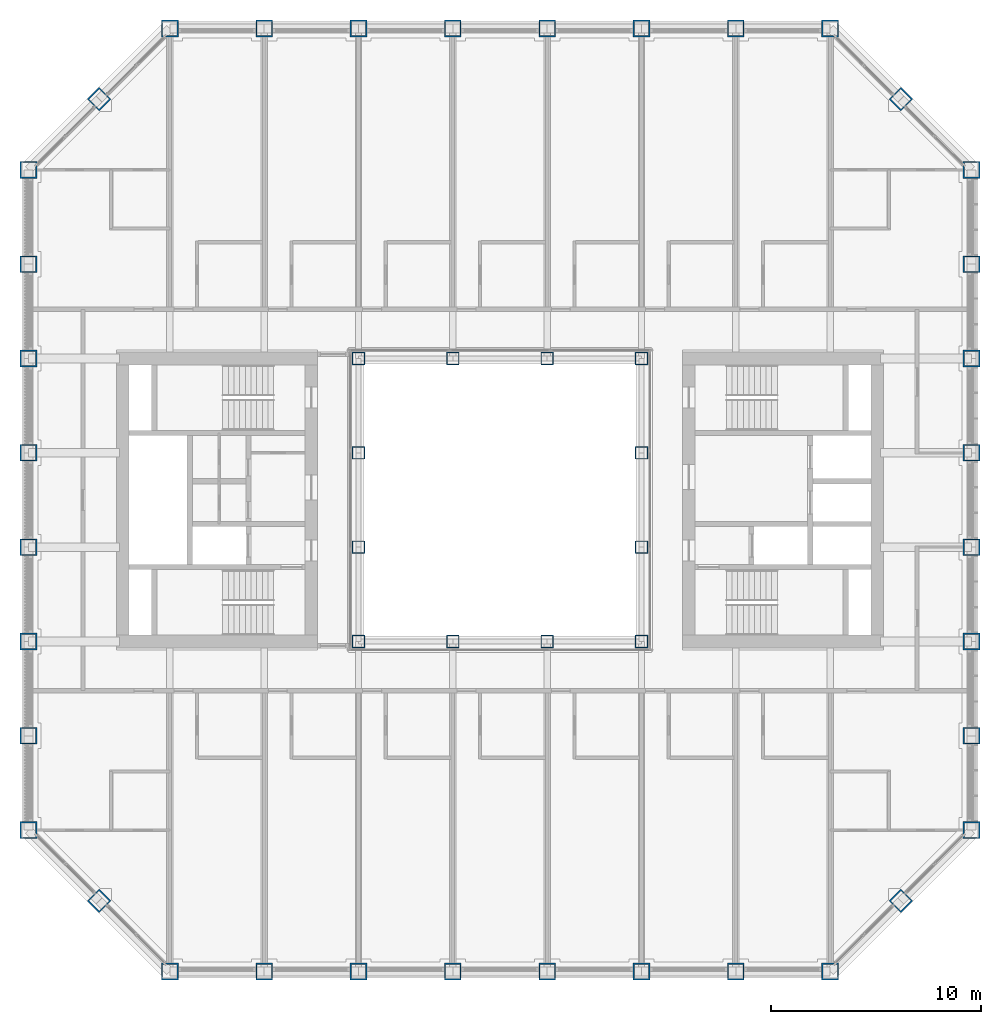
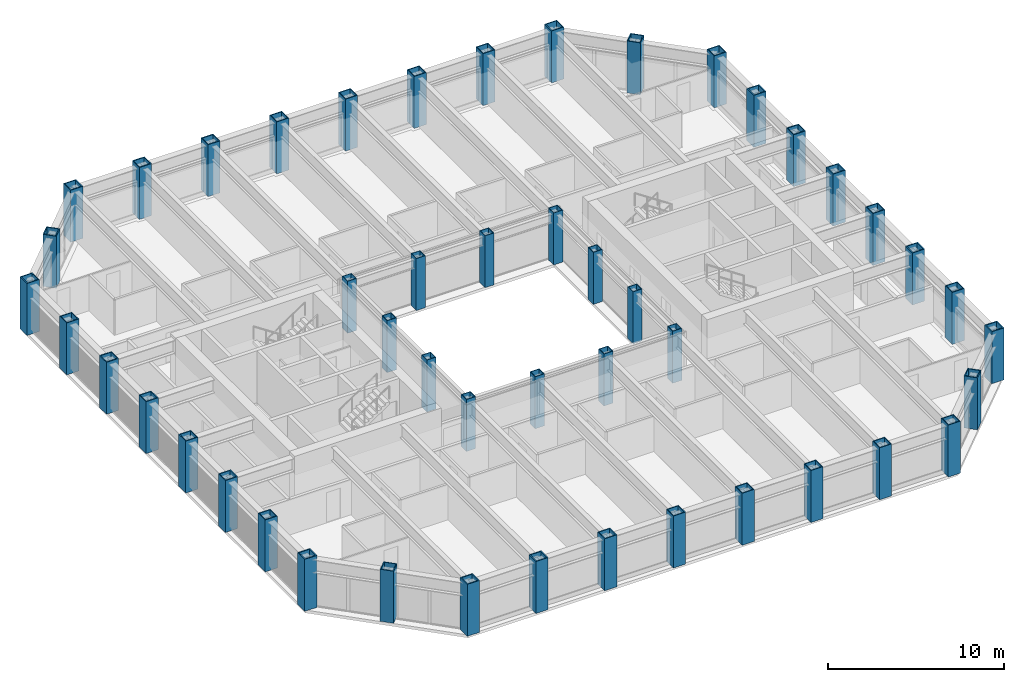
# One storey, part 1 of 18: 48 columns.
"""IFC4 building model written with IfcOpenShell, lengths in metres."""

from ifc_helpers import new_model, si_unit, direction, frame, origin, origin_2d, place, context, subcontext, project, spatial, hollow_rectangle, extrude, material, material_profile, profile_set, type_object, element, save


model = new_model("IFC4")

# Units and contexts
model_context = context("Model", 3, precision=1e-05, world=origin(), true_north=direction((0.0, 1.0)))
body_context = subcontext(model_context, "Body", "Model", "MODEL_VIEW")
ifc_project = project(units=[si_unit("LENGTHUNIT", "METRE"), si_unit("AREAUNIT", "SQUARE_METRE"), si_unit("VOLUMEUNIT", "CUBIC_METRE"), si_unit("PLANEANGLEUNIT", "RADIAN"), si_unit("MASSUNIT", "GRAM", prefix="KILO")], contexts=[model_context])

# Site, building, storey
site_placement = place(None, origin())
site = spatial("IfcSite", under=ifc_project, at=site_placement, CompositionType="ELEMENT")
building_placement = place(site_placement, origin())
building = spatial("IfcBuilding", under=site, at=building_placement, Name="Msasa Ring Tower", CompositionType="ELEMENT")
storey_placement = place(building_placement, frame((0.0, 0.0, 118.39990234375)))
storey = spatial("IfcBuildingStorey", under=building, at=storey_placement, Name="L30", CompositionType="ELEMENT", Elevation=118.39990234375)

# Columns
ifc_material_1 = material(Name="Steel S355", Category="steel")
ifc_material_profile_1 = material_profile(ifc_material_1, hollow_rectangle(XDim=0.60009765625, YDim=0.60009765625, WallThickness=0.0400390625, at=origin_2d()), Name="BOX 600x600x40")
ifc_profile_set_1 = profile_set([ifc_material_profile_1], Name="Steel S355")
column_type_1 = type_object("IfcColumnType", Name="IC4 BOX 600x600x40", PredefinedType="COLUMN", material=ifc_profile_set_1)
for number, where, z_axis, x_axis, name in (
    (1, (-6.75, -6.75, 0.0), (0.0, 0.0, 1.0), (1.0, 0.0, 0.0), "Inner ring column IR-6.75-6.75 L30"),
    (2, (-6.75, -2.25, 0.0), (0.0, 0.0, 1.0), (1.0, 0.0, 0.0), "Inner ring column IR-6.75-2.25 L30"),
    (3, (-6.75, 2.25, 0.0), (0.0, 0.0, 1.0), (1.0, 0.0, 0.0), "Inner ring column IR-6.75+2.25 L30"),
    (4, (-6.75, 6.75, 0.0), (0.0, 0.0, 1.0), (1.0, 0.0, 0.0), "Inner ring column IR-6.75+6.75 L30"),
    (5, (-2.25, -6.75, 0.0), (0.0, 0.0, 1.0), (1.0, 0.0, 0.0), "Inner ring column IR-2.25-6.75 L30"),
    (6, (-2.25, 6.75, 0.0), (0.0, 0.0, 1.0), (1.0, 0.0, 0.0), "Inner ring column IR-2.25+6.75 L30"),
    (7, (2.25, -6.75, 0.0), (0.0, 0.0, 1.0), (1.0, 0.0, 0.0), "Inner ring column IR+2.25-6.75 L30"),
    (8, (2.25, 6.75, 0.0), (0.0, 0.0, 1.0), (1.0, 0.0, 0.0), "Inner ring column IR+2.25+6.75 L30"),
    (9, (6.75, -6.75, 0.0), (0.0, 0.0, 1.0), (1.0, 0.0, 0.0), "Inner ring column IR+6.75-6.75 L30"),
    (10, (6.75, -2.25, 0.0), (0.0, 0.0, 1.0), (1.0, 0.0, 0.0), "Inner ring column IR+6.75-2.25 L30"),
    (11, (6.75, 2.25, 0.0), (0.0, 0.0, 1.0), (1.0, 0.0, 0.0), "Inner ring column IR+6.75+2.25 L30"),
    (12, (6.75, 6.75, 0.0), (0.0, 0.0, 1.0), (1.0, 0.0, 0.0), "Inner ring column IR+6.75+6.75 L30"),
):
    element("IfcColumn", number, at=place(storey_placement, frame(where, z_axis=z_axis, x_axis=x_axis)), inside=storey, type_object=column_type_1, Name=name, PredefinedType="COLUMN", context=body_context, shape_type="SweptSolid", body=[
        extrude(hollow_rectangle(XDim=0.60009765625, YDim=0.60009765625, WallThickness=0.0400390625, at=origin_2d()), origin(), (0.0, 0.0, 1.0), 3.60009765625),
    ])
ifc_material_2 = material(Name="Steel S355", Category="steel")
ifc_material_profile_2 = material_profile(ifc_material_2, hollow_rectangle(XDim=0.800048828125, YDim=0.800048828125, WallThickness=0.06005859375, at=origin_2d()), Name="BOX 800x800x60")
ifc_profile_set_2 = profile_set([ifc_material_profile_2], Name="Steel S355")
column_type_2 = type_object("IfcColumnType", Name="TC3 BOX 800x800x60", PredefinedType="COLUMN", material=ifc_profile_set_2)
for number, where, z_axis, x_axis, name in (
    (13, (-15.75, -22.5, 0.0), (0.0, 0.0, 1.0), (0.0, 1.0, 0.0), "Tube column S-15.75 L30"),
    (14, (-15.75, 22.5, 0.0), (0.0, 0.0, 1.0), (0.0, 1.0, 0.0), "Tube column N-15.75 L30"),
    (15, (22.5, -15.75, 0.0), (0.0, 0.0, 1.0), (1.0, 0.0, 0.0), "Tube column E-15.75 L30"),
    (16, (-22.5, -15.75, 0.0), (0.0, 0.0, 1.0), (1.0, 0.0, 0.0), "Tube column W-15.75 L30"),
    (17, (-11.25, -22.5, 0.0), (0.0, 0.0, 1.0), (0.0, 1.0, 0.0), "Tube column S-11.25 L30"),
    (18, (-11.25, 22.5, 0.0), (0.0, 0.0, 1.0), (0.0, 1.0, 0.0), "Tube column N-11.25 L30"),
    (19, (22.5, -11.25, 0.0), (0.0, 0.0, 1.0), (1.0, 0.0, 0.0), "Tube column E-11.25 L30"),
    (20, (-22.5, -11.25, 0.0), (0.0, 0.0, 1.0), (1.0, 0.0, 0.0), "Tube column W-11.25 L30"),
    (21, (-6.75, -22.5, 0.0), (0.0, 0.0, 1.0), (0.0, 1.0, 0.0), "Tube column S-6.75 L30"),
    (22, (-6.75, 22.5, 0.0), (0.0, 0.0, 1.0), (0.0, 1.0, 0.0), "Tube column N-6.75 L30"),
    (23, (22.5, -6.75, 0.0), (0.0, 0.0, 1.0), (1.0, 0.0, 0.0), "Tube column E-6.75 L30"),
    (24, (-22.5, -6.75, 0.0), (0.0, 0.0, 1.0), (1.0, 0.0, 0.0), "Tube column W-6.75 L30"),
    (25, (-2.25, -22.5, 0.0), (0.0, 0.0, 1.0), (0.0, 1.0, 0.0), "Tube column S-2.25 L30"),
    (26, (-2.25, 22.5, 0.0), (0.0, 0.0, 1.0), (0.0, 1.0, 0.0), "Tube column N-2.25 L30"),
    (27, (22.5, -2.25, 0.0), (0.0, 0.0, 1.0), (1.0, 0.0, 0.0), "Tube column E-2.25 L30"),
    (28, (-22.5, -2.25, 0.0), (0.0, 0.0, 1.0), (1.0, 0.0, 0.0), "Tube column W-2.25 L30"),
    (29, (2.25, -22.5, 0.0), (0.0, 0.0, 1.0), (0.0, 1.0, 0.0), "Tube column S+2.25 L30"),
    (30, (2.25, 22.5, 0.0), (0.0, 0.0, 1.0), (0.0, 1.0, 0.0), "Tube column N+2.25 L30"),
    (31, (22.5, 2.25, 0.0), (0.0, 0.0, 1.0), (1.0, 0.0, 0.0), "Tube column E+2.25 L30"),
    (32, (-22.5, 2.25, 0.0), (0.0, 0.0, 1.0), (1.0, 0.0, 0.0), "Tube column W+2.25 L30"),
    (33, (6.75, -22.5, 0.0), (0.0, 0.0, 1.0), (0.0, 1.0, 0.0), "Tube column S+6.75 L30"),
    (34, (6.75, 22.5, 0.0), (0.0, 0.0, 1.0), (0.0, 1.0, 0.0), "Tube column N+6.75 L30"),
    (35, (22.5, 6.75, 0.0), (0.0, 0.0, 1.0), (1.0, 0.0, 0.0), "Tube column E+6.75 L30"),
    (36, (-22.5, 6.75, 0.0), (0.0, 0.0, 1.0), (1.0, 0.0, 0.0), "Tube column W+6.75 L30"),
    (37, (11.25, -22.5, 0.0), (0.0, 0.0, 1.0), (0.0, 1.0, 0.0), "Tube column S+11.25 L30"),
    (38, (11.25, 22.5, 0.0), (0.0, 0.0, 1.0), (0.0, 1.0, 0.0), "Tube column N+11.25 L30"),
    (39, (22.5, 11.25, 0.0), (0.0, 0.0, 1.0), (1.0, 0.0, 0.0), "Tube column E+11.25 L30"),
    (40, (-22.5, 11.25, 0.0), (0.0, 0.0, 1.0), (1.0, 0.0, 0.0), "Tube column W+11.25 L30"),
    (41, (15.75, -22.5, 0.0), (0.0, 0.0, 1.0), (0.0, 1.0, 0.0), "Tube column S+15.75 L30"),
    (42, (15.75, 22.5, 0.0), (0.0, 0.0, 1.0), (0.0, 1.0, 0.0), "Tube column N+15.75 L30"),
    (43, (22.5, 15.75, 0.0), (0.0, 0.0, 1.0), (1.0, 0.0, 0.0), "Tube column E+15.75 L30"),
    (44, (-22.5, 15.75, 0.0), (0.0, 0.0, 1.0), (1.0, 0.0, 0.0), "Tube column W+15.75 L30"),
    (45, (19.125, -19.125, 0.0), (0.0, 0.0, 1.0), (0.707106781187, -0.707106781187, 0.0), "Tube column SE L30"),
    (46, (19.125, 19.125, 0.0), (0.0, 0.0, 1.0), (0.707106781187, 0.707106781187, 0.0), "Tube column NE L30"),
    (47, (-19.125, 19.125, 0.0), (0.0, 0.0, 1.0), (0.707106781187, -0.707106781187, 0.0), "Tube column NW L30"),
    (48, (-19.125, -19.125, 0.0), (0.0, 0.0, 1.0), (0.707106781187, 0.707106781187, 0.0), "Tube column SW L30"),
):
    element("IfcColumn", number, at=place(storey_placement, frame(where, z_axis=z_axis, x_axis=x_axis)), inside=storey, type_object=column_type_2, Name=name, PredefinedType="COLUMN", context=body_context, shape_type="SweptSolid", body=[
        extrude(hollow_rectangle(XDim=0.800048828125, YDim=0.800048828125, WallThickness=0.06005859375, at=origin_2d()), origin(), (0.0, 0.0, 1.0), 3.60009765625),
    ])

save(model, "model.ifc")
